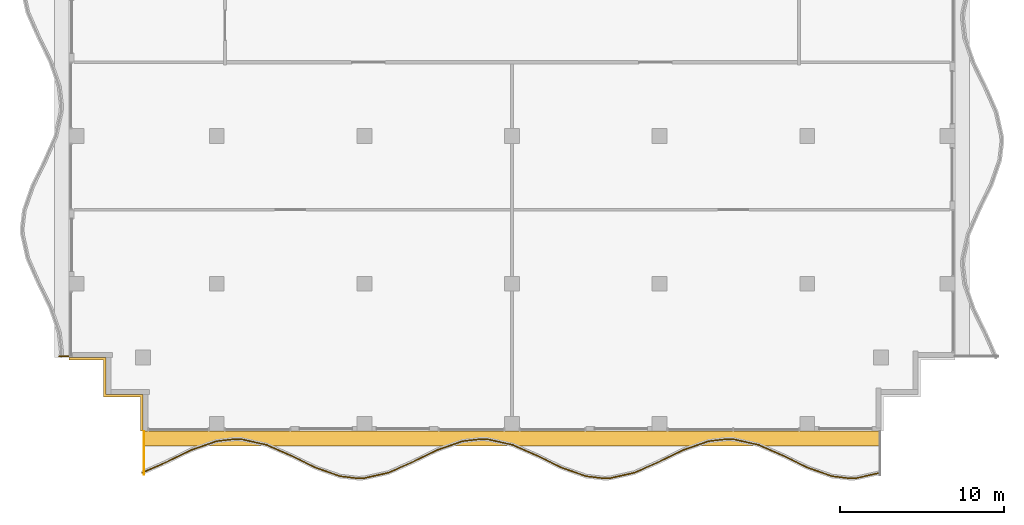
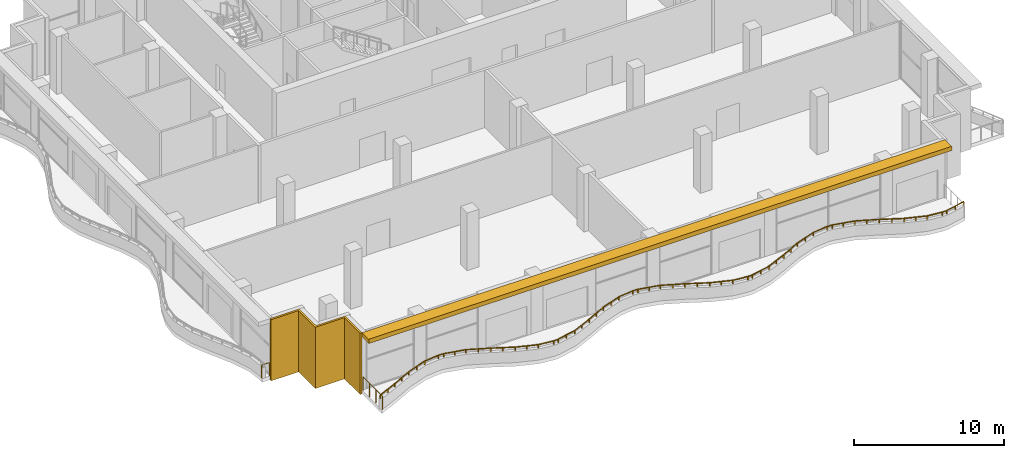
# One storey, part 11 of 14: 3 railings, 2 shading devices.
"""IFC4 building model written with IfcOpenShell, lengths in metres."""

from ifc_helpers import new_model, si_unit, direction, frame, origin, origin_2d, place, context, subcontext, project, spatial, polyline, rectangle, outline, extrude, material, layer, layer_set, type_object, element, save


model = new_model("IFC4")

# Units and contexts
model_context = context("Model", 3, precision=1e-05, world=origin(), true_north=direction((0.0, 1.0)))
body_context = subcontext(model_context, "Body", "Model", "MODEL_VIEW")
ifc_project = project(units=[si_unit("LENGTHUNIT", "METRE"), si_unit("AREAUNIT", "SQUARE_METRE"), si_unit("VOLUMEUNIT", "CUBIC_METRE"), si_unit("PLANEANGLEUNIT", "RADIAN"), si_unit("MASSUNIT", "GRAM", prefix="KILO")], contexts=[model_context])

# Site, building, storey
site_placement = place(None, origin())
site = spatial("IfcSite", under=ifc_project, at=site_placement, CompositionType="ELEMENT")
building_placement = place(site_placement, origin())
building = spatial("IfcBuilding", under=site, at=building_placement, Name="Orbiselva Terraces", CompositionType="ELEMENT")
storey_placement = place(building_placement, frame((0.0, 0.0, 284.4)))
storey = spatial("IfcBuildingStorey", under=building, at=storey_placement, Name="L72", CompositionType="ELEMENT", Elevation=284.4)

# Railings
ifc_material_1 = material(Name="Bonded two-ply safety glass balustrade, stainless steel posts", Category="steel")
railing_type_1 = type_object("IfcRailingType", Name="ENV-BALUSTRADE-1200", PredefinedType="BALUSTRADE", material=ifc_material_1)
railing_1_placement = place(storey_placement, frame((-22.550394, -25.034136, 0.9)))
element("IfcRailing", 1, at=railing_1_placement, inside=storey, type_object=railing_type_1, Name="Balcony balustrade L72 S", PredefinedType="BALUSTRADE", context=body_context, shape_type="SweptSolid", body=[
    extrude(outline(polyline([(0.028868, 0.0), (0.014434, 0.025), (-0.014434, 0.025), (-0.028868, 0.0), (-0.014434, -0.025), (0.014434, -0.025), (0.028868, 0.0)])), frame((0.0, 0.0, 0.275), z_axis=(0.915133498047, 0.403150940408, 0.0), x_axis=(-0.403150940408, 0.915133498047, 0.0)), (0.0, 0.0, 1.0), 1.636648),
    extrude(outline(polyline([(0.028868, 0.0), (0.014434, 0.025), (-0.014434, 0.025), (-0.028868, 0.0), (-0.014434, -0.025), (0.014434, -0.025), (0.028868, 0.0)])), frame((1.497751, 0.659816, 0.275), z_axis=(0.898578870221, 0.438812048596, 0.0), x_axis=(-0.438812048596, 0.898578870221, 0.0)), (0.0, 0.0, 1.0), 1.674225),
    extrude(outline(polyline([(0.028868, 0.0), (0.014434, 0.025), (-0.014434, 0.025), (-0.028868, 0.0), (-0.014434, -0.025), (0.014434, -0.025), (0.028868, 0.0)])), frame((3.002174, 1.394486, 0.275), z_axis=(0.943972332783, 0.330024597479, 0.0), x_axis=(-0.330024597479, 0.943972332783, 0.0)), (0.0, 0.0, 1.0), 1.610253),
    extrude(outline(polyline([(0.028868, 0.0), (0.014434, 0.025), (-0.014434, 0.025), (-0.028868, 0.0), (-0.014434, -0.025), (0.014434, -0.025), (0.028868, 0.0)])), frame((4.522208, 1.925909, 0.275), z_axis=(0.993309551734, 0.115482182324, 0.0), x_axis=(-0.115482182324, 0.993309551734, 0.0)), (0.0, 0.0, 1.0), 1.156135),
    extrude(outline(polyline([(0.028868, 0.0), (0.014434, 0.025), (-0.014434, 0.025), (-0.028868, 0.0), (-0.014434, -0.025), (0.014434, -0.025), (0.028868, 0.0)])), frame((5.670608, 2.059422, 0.275), z_axis=(0.999224734286, -0.03936915532, 0.0), x_axis=(0.03936915532, 0.999224734286, 0.0)), (0.0, 0.0, 1.0), 0.396376),
    extrude(outline(polyline([(0.028868, 0.0), (0.014434, 0.025), (-0.014434, 0.025), (-0.028868, 0.0), (-0.014434, -0.025), (0.014434, -0.025), (0.028868, 0.0)])), frame((6.066677, 2.043817, 0.275), z_axis=(0.97572137947, -0.219015500924, 0.0), x_axis=(0.219015500924, 0.97572137947, 0.0)), (0.0, 0.0, 1.0), 1.560867),
    extrude(outline(polyline([(0.028868, 0.0), (0.014434, 0.025), (-0.014434, 0.025), (-0.028868, 0.0), (-0.014434, -0.025), (0.014434, -0.025), (0.028868, 0.0)])), frame((7.589648, 1.701963, 0.275), z_axis=(0.915133527237, -0.403150874148, 0.0), x_axis=(0.403150874148, 0.915133527237, 0.0)), (0.0, 0.0, 1.0), 1.653736),
    extrude(outline(polyline([(0.028868, 0.0), (0.014434, 0.025), (-0.014434, 0.025), (-0.028868, 0.0), (-0.014434, -0.025), (0.014434, -0.025), (0.028868, 0.0)])), frame((9.103037, 1.035258, 0.275), z_axis=(0.89857890432, -0.438811978768, 0.0), x_axis=(0.438811978768, 0.89857890432, 0.0)), (0.0, 0.0, 1.0), 1.66438),
    extrude(outline(polyline([(0.028868, 0.0), (0.014434, 0.025), (-0.014434, 0.025), (-0.028868, 0.0), (-0.014434, -0.025), (0.014434, -0.025), (0.028868, 0.0)])), frame((10.598614, 0.304908, 0.275), z_axis=(0.943972277814, -0.330024754707, 0.0), x_axis=(0.330024754707, 0.943972277814, 0.0)), (0.0, 0.0, 1.0), 1.567807),
    extrude(outline(polyline([(0.028868, 0.0), (0.014434, 0.025), (-0.014434, 0.025), (-0.028868, 0.0), (-0.014434, -0.025), (0.014434, -0.025), (0.028868, 0.0)])), frame((12.07858, -0.212507, 0.275), z_axis=(0.993309658409, -0.115481264762, 0.0), x_axis=(0.115481264762, 0.993309658409, 0.0)), (0.0, 0.0, 1.0), 1.10902),
    extrude(outline(polyline([(0.028868, 0.0), (0.014434, 0.025), (-0.014434, 0.025), (-0.028868, 0.0), (-0.014434, -0.025), (0.014434, -0.025), (0.028868, 0.0)])), frame((13.18018, -0.340578, 0.275), z_axis=(0.999224931454, 0.039364150694, 0.0), x_axis=(-0.039364150694, 0.999224931454, 0.0)), (0.0, 0.0, 1.0), 0.354206),
    extrude(outline(polyline([(0.028868, 0.0), (0.014434, 0.025), (-0.014434, 0.025), (-0.028868, 0.0), (-0.014434, -0.025), (0.014434, -0.025), (0.028868, 0.0)])), frame((13.534111, -0.326635, 0.275), z_axis=(0.975721325753, 0.219015740235, 0.0), x_axis=(-0.219015740235, 0.975721325753, 0.0)), (0.0, 0.0, 1.0), 1.513782),
    extrude(outline(polyline([(0.028868, 0.0), (0.014434, 0.025), (-0.014434, 0.025), (-0.028868, 0.0), (-0.014434, -0.025), (0.014434, -0.025), (0.028868, 0.0)])), frame((15.01114, 0.004907, 0.275), z_axis=(0.915133363686, 0.403151245402, 0.0), x_axis=(-0.403151245402, 0.915133363686, 0.0)), (0.0, 0.0, 1.0), 1.624475),
    extrude(outline(polyline([(0.028868, 0.0), (0.014434, 0.025), (-0.014434, 0.025), (-0.028868, 0.0), (-0.014434, -0.025), (0.014434, -0.025), (0.028868, 0.0)])), frame((16.497751, 0.659816, 0.275), z_axis=(0.898578870221, 0.438812048596, 0.0), x_axis=(-0.438812048596, 0.898578870221, 0.0)), (0.0, 0.0, 1.0), 1.674225),
    extrude(outline(polyline([(0.028868, 0.0), (0.014434, 0.025), (-0.014434, 0.025), (-0.028868, 0.0), (-0.014434, -0.025), (0.014434, -0.025), (0.028868, 0.0)])), frame((18.002174, 1.394486, 0.275), z_axis=(0.943972332783, 0.330024597479, 0.0), x_axis=(-0.330024597479, 0.943972332783, 0.0)), (0.0, 0.0, 1.0), 1.610253),
    extrude(outline(polyline([(0.028868, 0.0), (0.014434, 0.025), (-0.014434, 0.025), (-0.028868, 0.0), (-0.014434, -0.025), (0.014434, -0.025), (0.028868, 0.0)])), frame((19.522208, 1.925909, 0.275), z_axis=(0.993309551734, 0.115482182324, 0.0), x_axis=(-0.115482182324, 0.993309551734, 0.0)), (0.0, 0.0, 1.0), 1.156135),
    extrude(outline(polyline([(0.028868, 0.0), (0.014434, 0.025), (-0.014434, 0.025), (-0.028868, 0.0), (-0.014434, -0.025), (0.014434, -0.025), (0.028868, 0.0)])), frame((20.670608, 2.059422, 0.275), z_axis=(0.999224734286, -0.03936915532, 0.0), x_axis=(0.03936915532, 0.999224734286, 0.0)), (0.0, 0.0, 1.0), 0.396376),
    extrude(outline(polyline([(0.028868, 0.0), (0.014434, 0.025), (-0.014434, 0.025), (-0.028868, 0.0), (-0.014434, -0.025), (0.014434, -0.025), (0.028868, 0.0)])), frame((21.066677, 2.043817, 0.275), z_axis=(0.97572137947, -0.219015500924, 0.0), x_axis=(0.219015500924, 0.97572137947, 0.0)), (0.0, 0.0, 1.0), 1.560867),
    extrude(outline(polyline([(0.028868, 0.0), (0.014434, 0.025), (-0.014434, 0.025), (-0.028868, 0.0), (-0.014434, -0.025), (0.014434, -0.025), (0.028868, 0.0)])), frame((22.589648, 1.701963, 0.275), z_axis=(0.915133527237, -0.403150874148, 0.0), x_axis=(0.403150874148, 0.915133527237, 0.0)), (0.0, 0.0, 1.0), 1.653736),
    extrude(outline(polyline([(0.028868, 0.0), (0.014434, 0.025), (-0.014434, 0.025), (-0.028868, 0.0), (-0.014434, -0.025), (0.014434, -0.025), (0.028868, 0.0)])), frame((24.103037, 1.035258, 0.275), z_axis=(0.89857890432, -0.438811978768, 0.0), x_axis=(0.438811978768, 0.89857890432, 0.0)), (0.0, 0.0, 1.0), 1.66438),
    extrude(outline(polyline([(0.028868, 0.0), (0.014434, 0.025), (-0.014434, 0.025), (-0.028868, 0.0), (-0.014434, -0.025), (0.014434, -0.025), (0.028868, 0.0)])), frame((25.598614, 0.304908, 0.275), z_axis=(0.943972277814, -0.330024754707, 0.0), x_axis=(0.330024754707, 0.943972277814, 0.0)), (0.0, 0.0, 1.0), 1.567807),
    extrude(outline(polyline([(0.028868, 0.0), (0.014434, 0.025), (-0.014434, 0.025), (-0.028868, 0.0), (-0.014434, -0.025), (0.014434, -0.025), (0.028868, 0.0)])), frame((27.07858, -0.212507, 0.275), z_axis=(0.993309658409, -0.115481264762, 0.0), x_axis=(0.115481264762, 0.993309658409, 0.0)), (0.0, 0.0, 1.0), 1.10902),
    extrude(outline(polyline([(0.028868, 0.0), (0.014434, 0.025), (-0.014434, 0.025), (-0.028868, 0.0), (-0.014434, -0.025), (0.014434, -0.025), (0.028868, 0.0)])), frame((28.18018, -0.340578, 0.275), z_axis=(0.999224931454, 0.039364150694, 0.0), x_axis=(-0.039364150694, 0.999224931454, 0.0)), (0.0, 0.0, 1.0), 0.354206),
    extrude(outline(polyline([(0.028868, 0.0), (0.014434, 0.025), (-0.014434, 0.025), (-0.028868, 0.0), (-0.014434, -0.025), (0.014434, -0.025), (0.028868, 0.0)])), frame((28.534111, -0.326635, 0.275), z_axis=(0.975721325753, 0.219015740235, 0.0), x_axis=(-0.219015740235, 0.975721325753, 0.0)), (0.0, 0.0, 1.0), 1.513782),
    extrude(outline(polyline([(0.028868, 0.0), (0.014434, 0.025), (-0.014434, 0.025), (-0.028868, 0.0), (-0.014434, -0.025), (0.014434, -0.025), (0.028868, 0.0)])), frame((30.01114, 0.004907, 0.275), z_axis=(0.915133363686, 0.403151245402, 0.0), x_axis=(-0.403151245402, 0.915133363686, 0.0)), (0.0, 0.0, 1.0), 1.624475),
    extrude(outline(polyline([(0.028868, 0.0), (0.014434, 0.025), (-0.014434, 0.025), (-0.028868, 0.0), (-0.014434, -0.025), (0.014434, -0.025), (0.028868, 0.0)])), frame((31.497751, 0.659816, 0.275), z_axis=(0.898578870221, 0.438812048596, 0.0), x_axis=(-0.438812048596, 0.898578870221, 0.0)), (0.0, 0.0, 1.0), 1.674225),
    extrude(outline(polyline([(0.028868, 0.0), (0.014434, 0.025), (-0.014434, 0.025), (-0.028868, 0.0), (-0.014434, -0.025), (0.014434, -0.025), (0.028868, 0.0)])), frame((33.002174, 1.394486, 0.275), z_axis=(0.943972332783, 0.330024597479, 0.0), x_axis=(-0.330024597479, 0.943972332783, 0.0)), (0.0, 0.0, 1.0), 1.610253),
    extrude(outline(polyline([(0.028868, 0.0), (0.014434, 0.025), (-0.014434, 0.025), (-0.028868, 0.0), (-0.014434, -0.025), (0.014434, -0.025), (0.028868, 0.0)])), frame((34.522208, 1.925909, 0.275), z_axis=(0.993309551734, 0.115482182324, 0.0), x_axis=(-0.115482182324, 0.993309551734, 0.0)), (0.0, 0.0, 1.0), 1.156135),
    extrude(outline(polyline([(0.028868, 0.0), (0.014434, 0.025), (-0.014434, 0.025), (-0.028868, 0.0), (-0.014434, -0.025), (0.014434, -0.025), (0.028868, 0.0)])), frame((35.670608, 2.059422, 0.275), z_axis=(0.999224734286, -0.03936915532, 0.0), x_axis=(0.03936915532, 0.999224734286, 0.0)), (0.0, 0.0, 1.0), 0.396376),
    extrude(outline(polyline([(0.028868, 0.0), (0.014434, 0.025), (-0.014434, 0.025), (-0.028868, 0.0), (-0.014434, -0.025), (0.014434, -0.025), (0.028868, 0.0)])), frame((36.066677, 2.043817, 0.275), z_axis=(0.97572137947, -0.219015500924, 0.0), x_axis=(0.219015500924, 0.97572137947, 0.0)), (0.0, 0.0, 1.0), 1.560867),
    extrude(outline(polyline([(0.028868, 0.0), (0.014434, 0.025), (-0.014434, 0.025), (-0.028868, 0.0), (-0.014434, -0.025), (0.014434, -0.025), (0.028868, 0.0)])), frame((37.589648, 1.701963, 0.275), z_axis=(0.915133527237, -0.403150874148, 0.0), x_axis=(0.403150874148, 0.915133527237, 0.0)), (0.0, 0.0, 1.0), 1.653736),
    extrude(outline(polyline([(0.028868, 0.0), (0.014434, 0.025), (-0.014434, 0.025), (-0.028868, 0.0), (-0.014434, -0.025), (0.014434, -0.025), (0.028868, 0.0)])), frame((39.103037, 1.035258, 0.275), z_axis=(0.89857890432, -0.438811978768, 0.0), x_axis=(0.438811978768, 0.89857890432, 0.0)), (0.0, 0.0, 1.0), 1.66438),
    extrude(outline(polyline([(0.028868, 0.0), (0.014434, 0.025), (-0.014434, 0.025), (-0.028868, 0.0), (-0.014434, -0.025), (0.014434, -0.025), (0.028868, 0.0)])), frame((40.598614, 0.304908, 0.275), z_axis=(0.943972277814, -0.330024754707, 0.0), x_axis=(0.330024754707, 0.943972277814, 0.0)), (0.0, 0.0, 1.0), 1.567807),
    extrude(outline(polyline([(0.028868, 0.0), (0.014434, 0.025), (-0.014434, 0.025), (-0.028868, 0.0), (-0.014434, -0.025), (0.014434, -0.025), (0.028868, 0.0)])), frame((42.07858, -0.212507, 0.275), z_axis=(0.993309658409, -0.115481264762, 0.0), x_axis=(0.115481264762, 0.993309658409, 0.0)), (0.0, 0.0, 1.0), 1.10902),
    extrude(outline(polyline([(0.028868, 0.0), (0.014434, 0.025), (-0.014434, 0.025), (-0.028868, 0.0), (-0.014434, -0.025), (0.014434, -0.025), (0.028868, 0.0)])), frame((43.18018, -0.340578, 0.275), z_axis=(0.999224931454, 0.039364150694, 0.0), x_axis=(-0.039364150694, 0.999224931454, 0.0)), (0.0, 0.0, 1.0), 0.354206),
    extrude(outline(polyline([(0.028868, 0.0), (0.014434, 0.025), (-0.014434, 0.025), (-0.028868, 0.0), (-0.014434, -0.025), (0.014434, -0.025), (0.028868, 0.0)])), frame((43.534111, -0.326635, 0.275), z_axis=(0.975721322437, 0.21901575501, 0.0), x_axis=(-0.21901575501, 0.975721322437, 0.0)), (0.0, 0.0, 1.0), 1.525954),
    extrude(rectangle(XDim=0.05, YDim=0.05, at=origin_2d()), origin(), (0.0, 0.0, 1.0), 0.25),
    extrude(rectangle(XDim=0.05, YDim=0.05, at=origin_2d()), frame((0.748876, 0.329908, 0.0)), (0.0, 0.0, 1.0), 0.25),
    extrude(rectangle(XDim=0.05, YDim=0.05, at=origin_2d()), frame((1.497751, 0.659816, 0.0)), (0.0, 0.0, 1.0), 0.25),
    extrude(rectangle(XDim=0.05, YDim=0.05, at=origin_2d()), frame((2.249963, 1.027151, 0.0)), (0.0, 0.0, 1.0), 0.25),
    extrude(rectangle(XDim=0.05, YDim=0.05, at=origin_2d()), frame((3.002174, 1.394486, 0.0)), (0.0, 0.0, 1.0), 0.25),
    extrude(rectangle(XDim=0.05, YDim=0.05, at=origin_2d()), frame((3.762191, 1.660198, 0.0)), (0.0, 0.0, 1.0), 0.25),
    extrude(rectangle(XDim=0.05, YDim=0.05, at=origin_2d()), frame((4.522208, 1.925909, 0.0)), (0.0, 0.0, 1.0), 0.25),
    extrude(rectangle(XDim=0.05, YDim=0.05, at=origin_2d()), frame((5.670608, 2.059422, 0.0)), (0.0, 0.0, 1.0), 0.25),
    extrude(rectangle(XDim=0.05, YDim=0.05, at=origin_2d()), frame((6.066677, 2.043817, 0.0)), (0.0, 0.0, 1.0), 0.25),
    extrude(rectangle(XDim=0.05, YDim=0.05, at=origin_2d()), frame((6.828163, 1.87289, 0.0)), (0.0, 0.0, 1.0), 0.25),
    extrude(rectangle(XDim=0.05, YDim=0.05, at=origin_2d()), frame((7.589648, 1.701963, 0.0)), (0.0, 0.0, 1.0), 0.25),
    extrude(rectangle(XDim=0.05, YDim=0.05, at=origin_2d()), frame((8.346342, 1.36861, 0.0)), (0.0, 0.0, 1.0), 0.25),
    extrude(rectangle(XDim=0.05, YDim=0.05, at=origin_2d()), frame((9.103037, 1.035258, 0.0)), (0.0, 0.0, 1.0), 0.25),
    extrude(rectangle(XDim=0.05, YDim=0.05, at=origin_2d()), frame((9.850826, 0.670083, 0.0)), (0.0, 0.0, 1.0), 0.25),
    extrude(rectangle(XDim=0.05, YDim=0.05, at=origin_2d()), frame((10.598614, 0.304908, 0.0)), (0.0, 0.0, 1.0), 0.25),
    extrude(rectangle(XDim=0.05, YDim=0.05, at=origin_2d()), frame((11.338597, 0.046201, 0.0)), (0.0, 0.0, 1.0), 0.25),
    extrude(rectangle(XDim=0.05, YDim=0.05, at=origin_2d()), frame((12.07858, -0.212507, 0.0)), (0.0, 0.0, 1.0), 0.25),
    extrude(rectangle(XDim=0.05, YDim=0.05, at=origin_2d()), frame((13.18018, -0.340578, 0.0)), (0.0, 0.0, 1.0), 0.25),
    extrude(rectangle(XDim=0.05, YDim=0.05, at=origin_2d()), frame((13.534111, -0.326635, 0.0)), (0.0, 0.0, 1.0), 0.25),
    extrude(rectangle(XDim=0.05, YDim=0.05, at=origin_2d()), frame((14.272626, -0.160864, 0.0)), (0.0, 0.0, 1.0), 0.25),
    extrude(rectangle(XDim=0.05, YDim=0.05, at=origin_2d()), frame((15.01114, 0.004907, 0.0)), (0.0, 0.0, 1.0), 0.25),
    extrude(rectangle(XDim=0.05, YDim=0.05, at=origin_2d()), frame((15.754446, 0.332361, 0.0)), (0.0, 0.0, 1.0), 0.25),
    extrude(rectangle(XDim=0.05, YDim=0.05, at=origin_2d()), frame((16.497751, 0.659816, 0.0)), (0.0, 0.0, 1.0), 0.25),
    extrude(rectangle(XDim=0.05, YDim=0.05, at=origin_2d()), frame((17.249963, 1.027151, 0.0)), (0.0, 0.0, 1.0), 0.25),
    extrude(rectangle(XDim=0.05, YDim=0.05, at=origin_2d()), frame((18.002174, 1.394486, 0.0)), (0.0, 0.0, 1.0), 0.25),
    extrude(rectangle(XDim=0.05, YDim=0.05, at=origin_2d()), frame((18.762191, 1.660198, 0.0)), (0.0, 0.0, 1.0), 0.25),
    extrude(rectangle(XDim=0.05, YDim=0.05, at=origin_2d()), frame((19.522208, 1.925909, 0.0)), (0.0, 0.0, 1.0), 0.25),
    extrude(rectangle(XDim=0.05, YDim=0.05, at=origin_2d()), frame((20.670608, 2.059422, 0.0)), (0.0, 0.0, 1.0), 0.25),
    extrude(rectangle(XDim=0.05, YDim=0.05, at=origin_2d()), frame((21.066677, 2.043817, 0.0)), (0.0, 0.0, 1.0), 0.25),
    extrude(rectangle(XDim=0.05, YDim=0.05, at=origin_2d()), frame((21.828162, 1.87289, 0.0)), (0.0, 0.0, 1.0), 0.25),
    extrude(rectangle(XDim=0.05, YDim=0.05, at=origin_2d()), frame((22.589648, 1.701963, 0.0)), (0.0, 0.0, 1.0), 0.25),
    extrude(rectangle(XDim=0.05, YDim=0.05, at=origin_2d()), frame((23.346342, 1.36861, 0.0)), (0.0, 0.0, 1.0), 0.25),
    extrude(rectangle(XDim=0.05, YDim=0.05, at=origin_2d()), frame((24.103037, 1.035258, 0.0)), (0.0, 0.0, 1.0), 0.25),
    extrude(rectangle(XDim=0.05, YDim=0.05, at=origin_2d()), frame((24.850826, 0.670083, 0.0)), (0.0, 0.0, 1.0), 0.25),
    extrude(rectangle(XDim=0.05, YDim=0.05, at=origin_2d()), frame((25.598614, 0.304908, 0.0)), (0.0, 0.0, 1.0), 0.25),
    extrude(rectangle(XDim=0.05, YDim=0.05, at=origin_2d()), frame((26.338597, 0.046201, 0.0)), (0.0, 0.0, 1.0), 0.25),
    extrude(rectangle(XDim=0.05, YDim=0.05, at=origin_2d()), frame((27.07858, -0.212507, 0.0)), (0.0, 0.0, 1.0), 0.25),
    extrude(rectangle(XDim=0.05, YDim=0.05, at=origin_2d()), frame((28.18018, -0.340578, 0.0)), (0.0, 0.0, 1.0), 0.25),
    extrude(rectangle(XDim=0.05, YDim=0.05, at=origin_2d()), frame((28.534111, -0.326635, 0.0)), (0.0, 0.0, 1.0), 0.25),
    extrude(rectangle(XDim=0.05, YDim=0.05, at=origin_2d()), frame((29.272626, -0.160864, 0.0)), (0.0, 0.0, 1.0), 0.25),
    extrude(rectangle(XDim=0.05, YDim=0.05, at=origin_2d()), frame((30.01114, 0.004907, 0.0)), (0.0, 0.0, 1.0), 0.25),
    extrude(rectangle(XDim=0.05, YDim=0.05, at=origin_2d()), frame((30.754446, 0.332361, 0.0)), (0.0, 0.0, 1.0), 0.25),
    extrude(rectangle(XDim=0.05, YDim=0.05, at=origin_2d()), frame((31.497751, 0.659816, 0.0)), (0.0, 0.0, 1.0), 0.25),
    extrude(rectangle(XDim=0.05, YDim=0.05, at=origin_2d()), frame((32.249962, 1.027151, 0.0)), (0.0, 0.0, 1.0), 0.25),
    extrude(rectangle(XDim=0.05, YDim=0.05, at=origin_2d()), frame((33.002174, 1.394486, 0.0)), (0.0, 0.0, 1.0), 0.25),
    extrude(rectangle(XDim=0.05, YDim=0.05, at=origin_2d()), frame((33.762191, 1.660198, 0.0)), (0.0, 0.0, 1.0), 0.25),
    extrude(rectangle(XDim=0.05, YDim=0.05, at=origin_2d()), frame((34.522208, 1.925909, 0.0)), (0.0, 0.0, 1.0), 0.25),
    extrude(rectangle(XDim=0.05, YDim=0.05, at=origin_2d()), frame((35.670608, 2.059422, 0.0)), (0.0, 0.0, 1.0), 0.25),
    extrude(rectangle(XDim=0.05, YDim=0.05, at=origin_2d()), frame((36.066677, 2.043817, 0.0)), (0.0, 0.0, 1.0), 0.25),
    extrude(rectangle(XDim=0.05, YDim=0.05, at=origin_2d()), frame((36.828162, 1.87289, 0.0)), (0.0, 0.0, 1.0), 0.25),
    extrude(rectangle(XDim=0.05, YDim=0.05, at=origin_2d()), frame((37.589648, 1.701963, 0.0)), (0.0, 0.0, 1.0), 0.25),
    extrude(rectangle(XDim=0.05, YDim=0.05, at=origin_2d()), frame((38.346342, 1.36861, 0.0)), (0.0, 0.0, 1.0), 0.25),
    extrude(rectangle(XDim=0.05, YDim=0.05, at=origin_2d()), frame((39.103037, 1.035258, 0.0)), (0.0, 0.0, 1.0), 0.25),
    extrude(rectangle(XDim=0.05, YDim=0.05, at=origin_2d()), frame((39.850826, 0.670083, 0.0)), (0.0, 0.0, 1.0), 0.25),
    extrude(rectangle(XDim=0.05, YDim=0.05, at=origin_2d()), frame((40.598614, 0.304908, 0.0)), (0.0, 0.0, 1.0), 0.25),
    extrude(rectangle(XDim=0.05, YDim=0.05, at=origin_2d()), frame((41.338597, 0.046201, 0.0)), (0.0, 0.0, 1.0), 0.25),
    extrude(rectangle(XDim=0.05, YDim=0.05, at=origin_2d()), frame((42.07858, -0.212507, 0.0)), (0.0, 0.0, 1.0), 0.25),
    extrude(rectangle(XDim=0.05, YDim=0.05, at=origin_2d()), frame((43.18018, -0.340578, 0.0)), (0.0, 0.0, 1.0), 0.25),
    extrude(rectangle(XDim=0.05, YDim=0.05, at=origin_2d()), frame((43.534111, -0.326635, 0.0)), (0.0, 0.0, 1.0), 0.25),
    extrude(rectangle(XDim=0.05, YDim=0.05, at=origin_2d()), frame((44.278564, -0.159531, 0.0)), (0.0, 0.0, 1.0), 0.25),
    extrude(rectangle(XDim=0.05, YDim=0.05, at=origin_2d()), frame((45.023017, 0.007573, 0.0)), (0.0, 0.0, 1.0), 0.25),
])
ifc_material_2 = material(Name="Stainless steel rail and posts", Category="steel")
railing_type_2 = type_object("IfcRailingType", Name="ENV-GUARD-1105", PredefinedType="BALUSTRADE", material=ifc_material_2)
railing_2_placement = place(storey_placement, frame((-22.44, -25.126937, 0.0)))
element("IfcRailing", 2, at=railing_2_placement, inside=storey, type_object=railing_type_2, Name="Balcony end guard L72 S", PredefinedType="BALUSTRADE", context=body_context, shape_type="SweptSolid", body=[
    extrude(outline(polyline([(0.028868, 0.0), (0.014434, 0.025), (-0.014434, 0.025), (-0.028868, 0.0), (-0.014434, -0.025), (0.014434, -0.025), (0.028868, 0.0)])), frame((0.0, 0.0, 1.08), z_axis=(0.0, 1.0, 0.0), x_axis=(-1.0, 0.0, 0.0)), (0.0, 0.0, 1.0), 2.601937),
    extrude(rectangle(XDim=0.05, YDim=0.05, at=origin_2d()), origin(), (0.0, 0.0, 1.0), 1.055),
    extrude(rectangle(XDim=0.05, YDim=0.05, at=origin_2d()), frame((0.0, 0.867312, 0.0)), (0.0, 0.0, 1.0), 1.055),
    extrude(rectangle(XDim=0.05, YDim=0.05, at=origin_2d()), frame((0.0, 1.734625, 0.0)), (0.0, 0.0, 1.0), 1.055),
    extrude(rectangle(XDim=0.05, YDim=0.05, at=origin_2d()), frame((0.0, 2.601937, 0.0)), (0.0, 0.0, 1.0), 1.055),
])
railing_3_placement = place(storey_placement, frame((-27.610431, -17.94, 0.0)))
element("IfcRailing", 3, at=railing_3_placement, inside=storey, type_object=railing_type_2, Name="Balcony end guard L72 W", PredefinedType="BALUSTRADE", context=body_context, shape_type="SweptSolid", body=[
    extrude(outline(polyline([(0.028868, 0.0), (0.014434, 0.025), (-0.014434, 0.025), (-0.028868, 0.0), (-0.014434, -0.025), (0.014434, -0.025), (0.028868, 0.0)])), frame((0.0, 0.0, 1.08), z_axis=(1.0, 0.0, 0.0), x_axis=(0.0, 1.0, 0.0)), (0.0, 0.0, 1.0), 0.585431),
    extrude(rectangle(XDim=0.05, YDim=0.05, at=origin_2d()), origin(), (0.0, 0.0, 1.0), 1.055),
    extrude(rectangle(XDim=0.05, YDim=0.05, at=origin_2d()), frame((0.585431, 0.0, 0.0)), (0.0, 0.0, 1.0), 1.055),
])

# Shading devices
ifc_material_3 = material(Name="Terracotta louvre screen", Category="masonry")
ifc_layer_1 = layer(ifc_material_3, 0.15)
ifc_layer_set_1 = layer_set([ifc_layer_1], Name="Terracotta louvre screen")
shading_device_type_1 = type_object("IfcShadingDeviceType", Name="ENV-SCREEN-150", PredefinedType="USERDEFINED", material=ifc_layer_set_1)
shading_device_1_placement = place(storey_placement, frame((0.0, 0.0, -0.3)))
element("IfcShadingDevice", 4, at=shading_device_1_placement, inside=storey, type_object=shading_device_type_1, Name="Louvre screen L72 SW", ObjectType="SCREEN", PredefinedType="USERDEFINED", context=body_context, shape_type="SweptSolid", body=[
    extrude(outline(polyline([(-27.0, -18.15), (-24.9, -18.15), (-24.9, -20.4), (-22.65, -20.4), (-22.65, -22.5), (-22.5, -22.5), (-22.5, -20.25), (-24.75, -20.25), (-24.75, -18.0), (-27.0, -18.0), (-27.0, -18.15)])), origin(), (0.0, 0.0, 1.0), 5.0),
])
ifc_material_4 = material(Name="Terracotta baguette sunshade", Category="masonry")
ifc_layer_2 = layer(ifc_material_4, 0.35)
ifc_layer_set_2 = layer_set([ifc_layer_2], Name="Terracotta baguette sunshade")
shading_device_type_2 = type_object("IfcShadingDeviceType", Name="ENV-SUNSHADE-900x350", PredefinedType="USERDEFINED", material=ifc_layer_set_2)
shading_device_2_placement = place(storey_placement, frame((0.0, 0.0, 4.35)))
element("IfcShadingDevice", 5, at=shading_device_2_placement, inside=storey, type_object=shading_device_type_2, Name="Sunshade band L72 S", ObjectType="SUNSHADE", PredefinedType="USERDEFINED", context=body_context, shape_type="SweptSolid", body=[
    extrude(outline(polyline([(-22.5, -23.4), (22.5, -23.4), (22.5, -22.5), (-22.5, -22.5), (-22.5, -23.4)])), origin(), (0.0, 0.0, 1.0), 0.35),
])

save(model, "model.ifc")
